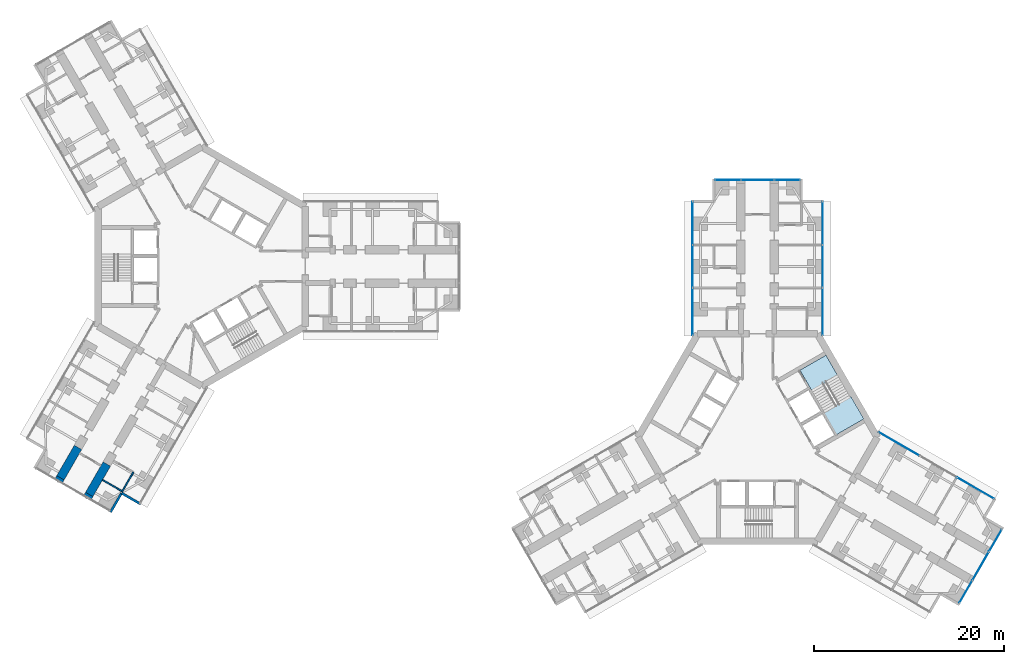
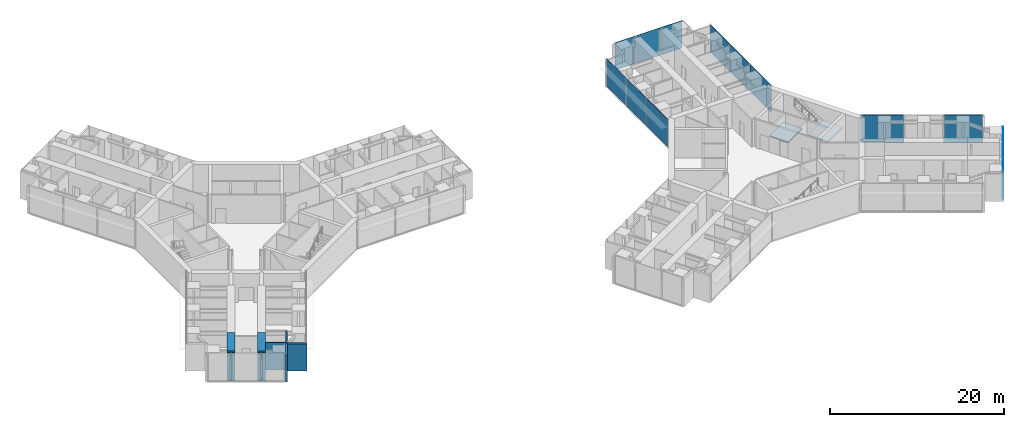
# One storey, part 15 of 24: 14 plates, 8 walls, 2 slabs, 6 elements without a shape of their own.
"""IFC4 building model written with IfcOpenShell, lengths in metres."""

from ifc_helpers import new_model, si_unit, direction, frame, frame_2d, origin, origin_2d, place, context, subcontext, project, spatial, polyline, rectangle, outline, extrude, material, layer, layer_set, type_object, element, aggregate, save


model = new_model("IFC4")

# Units and contexts
model_context = context("Model", 3, precision=1e-05, world=origin(), true_north=direction((0.0, 1.0)))
body_context = subcontext(model_context, "Body", "Model", "MODEL_VIEW")
ifc_project = project(units=[si_unit("LENGTHUNIT", "METRE"), si_unit("AREAUNIT", "SQUARE_METRE"), si_unit("VOLUMEUNIT", "CUBIC_METRE"), si_unit("PLANEANGLEUNIT", "RADIAN"), si_unit("MASSUNIT", "GRAM", prefix="KILO")], contexts=[model_context])

# Site, building, storey
site_placement = place(None, origin())
site = spatial("IfcSite", under=ifc_project, at=site_placement, CompositionType="ELEMENT")
building_placement = place(site_placement, origin())
building = spatial("IfcBuilding", under=site, at=building_placement, Name="Upepo Twin Towers", CompositionType="ELEMENT")
storey_placement = place(building_placement, frame((0.0, 0.0, 52.5)))
storey = spatial("IfcBuildingStorey", under=building, at=storey_placement, Name="L12", CompositionType="ELEMENT", Elevation=52.5)

# Curtain wall, plates
ifc_material_1 = material(Name="Aluminium and fritted glass", Category="aluminium")
curtain_wall_type = type_object("IfcCurtainWallType", Name="Tower curtain wall TW1, fritted glass", PredefinedType="NOTDEFINED", material=ifc_material_1)
curtain_wall_1_placement = place(storey_placement, origin())
curtain_wall_1 = element("IfcCurtainWall", 1, at=curtain_wall_1_placement, inside=storey, type_object=curtain_wall_type, Name="T2 L12 wing A flank L curtain wall", PredefinedType="NOTDEFINED")
ifc_material_2 = material(Name="Ceramic-fritted laminated glass", Category="glass")
ifc_layer_1 = layer(ifc_material_2, 0.031982421875)
ifc_layer_set_1 = layer_set([ifc_layer_1], Name="Fritted glass panel, 25 per cent dot frit, 32 mm double glazed")
plate_type_1 = type_object("IfcPlateType", Name="Fritted glass panel, 25 per cent dot frit, 32 mm double glazed", PredefinedType="CURTAIN_PANEL", material=ifc_layer_set_1)
plate_1_placement = place(storey_placement, frame((51.64990234375, -4.76513671875, 0.14990234375), z_axis=(0.0, 0.0, 1.0), x_axis=(0.0, 1.0, 0.0)))
plate_1 = element("IfcPlate", 2, at=plate_1_placement, type_object=plate_type_1, Name="T2 L12 wing A flank L curtain wall panel 1", PredefinedType="CURTAIN_PANEL", context=body_context, shape_type="SweptSolid", body=[
    extrude(rectangle(XDim=4.96533203125, YDim=0.031982421875, at=origin_2d()), origin(), (0.0, 0.0, 1.0), 3.85009765625),
])
plate_2_placement = place(storey_placement, frame((51.64990234375, 0.0, 0.14990234375), z_axis=(0.0, 0.0, 1.0), x_axis=(0.0, 1.0, 0.0)))
plate_2 = element("IfcPlate", 3, at=plate_2_placement, type_object=plate_type_1, Name="T2 L12 wing A flank L curtain wall panel 2", PredefinedType="CURTAIN_PANEL", context=body_context, shape_type="SweptSolid", body=[
    extrude(rectangle(XDim=4.43505859375, YDim=0.031982421875, at=origin_2d()), origin(), (0.0, 0.0, 1.0), 3.85009765625),
])
plate_3_placement = place(storey_placement, frame((51.64990234375, 4.53369140625, 0.14990234375), z_axis=(0.0, 0.0, 1.0), x_axis=(0.0, 1.0, 0.0)))
plate_3 = element("IfcPlate", 4, at=plate_3_placement, type_object=plate_type_1, Name="T2 L12 wing A flank L curtain wall panel 3", PredefinedType="CURTAIN_PANEL", context=body_context, shape_type="SweptSolid", body=[
    extrude(rectangle(XDim=4.50244140625, YDim=0.031982421875, at=origin_2d()), origin(), (0.0, 0.0, 1.0), 3.85009765625),
])
aggregate(curtain_wall_1, [plate_1, plate_2, plate_3])

curtain_wall_2_placement = place(storey_placement, origin())
curtain_wall_2 = element("IfcCurtainWall", 5, at=curtain_wall_2_placement, inside=storey, type_object=curtain_wall_type, Name="T2 L12 wing A flank R curtain wall", PredefinedType="NOTDEFINED")
plate_4_placement = place(storey_placement, frame((65.35009765625, 4.53369140625, 0.14990234375), z_axis=(0.0, 0.0, 1.0), x_axis=(0.0, -1.0, 0.0)))
plate_4 = element("IfcPlate", 6, at=plate_4_placement, type_object=plate_type_1, Name="T2 L12 wing A flank R curtain wall panel 1", PredefinedType="CURTAIN_PANEL", context=body_context, shape_type="SweptSolid", body=[
    extrude(rectangle(XDim=4.50244140625, YDim=0.031982421875, at=origin_2d()), origin(), (0.0, 0.0, 1.0), 3.85009765625),
])
plate_5_placement = place(storey_placement, frame((65.35009765625, 0.0, 0.14990234375), z_axis=(0.0, 0.0, 1.0), x_axis=(0.0, -1.0, 0.0)))
plate_5 = element("IfcPlate", 7, at=plate_5_placement, type_object=plate_type_1, Name="T2 L12 wing A flank R curtain wall panel 2", PredefinedType="CURTAIN_PANEL", context=body_context, shape_type="SweptSolid", body=[
    extrude(rectangle(XDim=4.43505859375, YDim=0.031982421875, at=origin_2d()), origin(), (0.0, 0.0, 1.0), 3.85009765625),
])
plate_6_placement = place(storey_placement, frame((65.35009765625, -4.76513671875, 0.14990234375), z_axis=(0.0, 0.0, 1.0), x_axis=(0.0, -1.0, 0.0)))
plate_6 = element("IfcPlate", 8, at=plate_6_placement, type_object=plate_type_1, Name="T2 L12 wing A flank R curtain wall panel 3", PredefinedType="CURTAIN_PANEL", context=body_context, shape_type="SweptSolid", body=[
    extrude(rectangle(XDim=4.96533203125, YDim=0.031982421875, at=origin_2d()), origin(), (0.0, 0.0, 1.0), 3.85009765625),
])
aggregate(curtain_wall_2, [plate_4, plate_5, plate_6])

# Curtain wall, plate
curtain_wall_3_placement = place(storey_placement, origin())
curtain_wall_3 = element("IfcCurtainWall", 9, at=curtain_wall_3_placement, inside=storey, type_object=curtain_wall_type, Name="T2 L12 wing A nose curtain wall", PredefinedType="NOTDEFINED")
plate_7_placement = place(storey_placement, frame((58.5, 9.10009765625, 0.14990234375), z_axis=(0.0, 0.0, 1.0), x_axis=(-1.0, 0.0, 0.0)))
plate_7 = element("IfcPlate", 10, at=plate_7_placement, type_object=plate_type_1, Name="T2 L12 wing A nose curtain wall panel 2", PredefinedType="CURTAIN_PANEL", context=body_context, shape_type="SweptSolid", body=[
    extrude(rectangle(XDim=3.43505859375, YDim=0.031982421875, at=origin_2d()), origin(), (0.0, 0.0, 1.0), 3.85009765625),
])

# Curtain wall, plates
curtain_wall_4_placement = place(storey_placement, origin())
curtain_wall_4 = element("IfcCurtainWall", 11, at=curtain_wall_4_placement, inside=storey, type_object=curtain_wall_type, Name="T2 L12 wing C flank L curtain wall", PredefinedType="NOTDEFINED")
plate_8_placement = place(storey_placement, frame((73.38671875, -18.68505859375, 0.14990234375), z_axis=(0.0, 0.0, 1.0), x_axis=(0.866025389682, -0.500000024426, 0.0)))
plate_8 = element("IfcPlate", 12, at=plate_8_placement, type_object=plate_type_1, Name="T2 L12 wing C flank L curtain wall panel 1", PredefinedType="CURTAIN_PANEL", context=body_context, shape_type="SweptSolid", body=[
    extrude(rectangle(XDim=4.96533203125, YDim=0.031982421875, at=origin_2d()), origin(), (0.0, 0.0, 1.0), 3.85009765625),
])
plate_9_placement = place(storey_placement, frame((81.439697265625, -23.334716796875, 0.14990234375), z_axis=(0.0, 0.0, 1.0), x_axis=(0.866025389682, -0.500000024426, 0.0)))
plate_9 = element("IfcPlate", 13, at=plate_9_placement, type_object=plate_type_1, Name="T2 L12 wing C flank L curtain wall panel 3", PredefinedType="CURTAIN_PANEL", context=body_context, shape_type="SweptSolid", body=[
    extrude(rectangle(XDim=4.50244140625, YDim=0.031982421875, at=origin_2d()), origin(), (0.0, 0.0, 1.0), 3.85009765625),
])
aggregate(curtain_wall_4, [plate_8, plate_9])

# Curtain wall, plate
curtain_wall_5_placement = place(storey_placement, origin())
curtain_wall_5 = element("IfcCurtainWall", 14, at=curtain_wall_5_placement, inside=storey, type_object=curtain_wall_type, Name="T2 L12 wing C nose curtain wall", PredefinedType="NOTDEFINED")
plate_10_placement = place(storey_placement, frame((81.96923828125, -31.550048828125, 0.14990234375), z_axis=(0.0, 0.0, 1.0), x_axis=(0.500000030502, 0.866025386174, 0.0)))
plate_10 = element("IfcPlate", 15, at=plate_10_placement, type_object=plate_type_1, Name="T2 L12 wing C nose curtain wall panel 2", PredefinedType="CURTAIN_PANEL", context=body_context, shape_type="SweptSolid", body=[
    extrude(rectangle(XDim=3.43505859375, YDim=0.031982421875, at=origin_2d()), origin(), (0.0, 0.0, 1.0), 3.85009765625),
])

# Plate
ifc_material_3 = material(Name="Clear laminated glass in opening sash", Category="glass")
ifc_layer_2 = layer(ifc_material_3, 0.031982421875)
ifc_layer_set_2 = layer_set([ifc_layer_2], Name="Operable glass panel, 32 mm double glazed")
plate_type_2 = type_object("IfcPlateType", Name="Operable glass panel, 32 mm double glazed", PredefinedType="CURTAIN_PANEL", material=ifc_layer_set_2)
plate_11_placement = place(storey_placement, frame((61.608642578125, 9.10009765625, 0.14990234375), z_axis=(0.0, 0.0, 1.0), x_axis=(-1.0, 0.0, 0.0)))
plate_11 = element("IfcPlate", 16, at=plate_11_placement, type_object=plate_type_2, Name="T2 L12 wing A nose curtain wall panel 1", PredefinedType="CURTAIN_PANEL", context=body_context, shape_type="SweptSolid", body=[
    extrude(rectangle(XDim=2.652587890625, YDim=0.031982421875, at=origin_2d()), origin(), (0.0, 0.0, 1.0), 3.85009765625),
])

plate_12_placement = place(storey_placement, frame((55.391357421875, 9.10009765625, 0.14990234375), z_axis=(0.0, 0.0, 1.0), x_axis=(-1.0, 0.0, 0.0)))
plate_12 = element("IfcPlate", 17, at=plate_12_placement, type_object=plate_type_2, Name="T2 L12 wing A nose curtain wall panel 3", PredefinedType="CURTAIN_PANEL", context=body_context, shape_type="SweptSolid", body=[
    extrude(rectangle(XDim=2.652587890625, YDim=0.031982421875, at=origin_2d()), origin(), (0.0, 0.0, 1.0), 3.85009765625),
])

aggregate(curtain_wall_3, [plate_11, plate_7, plate_12])

plate_13_placement = place(storey_placement, frame((80.414794921875, -34.2421875, 0.14990234375), z_axis=(0.0, 0.0, 1.0), x_axis=(0.500000030502, 0.866025386174, 0.0)))
plate_13 = element("IfcPlate", 18, at=plate_13_placement, type_object=plate_type_2, Name="T2 L12 wing C nose curtain wall panel 1", PredefinedType="CURTAIN_PANEL", context=body_context, shape_type="SweptSolid", body=[
    extrude(rectangle(XDim=2.652587890625, YDim=0.031982421875, at=origin_2d()), origin(), (0.0, 0.0, 1.0), 3.85009765625),
])

plate_14_placement = place(storey_placement, frame((83.523681640625, -28.857666015625, 0.14990234375), z_axis=(0.0, 0.0, 1.0), x_axis=(0.500000030502, 0.866025386174, 0.0)))
plate_14 = element("IfcPlate", 19, at=plate_14_placement, type_object=plate_type_2, Name="T2 L12 wing C nose curtain wall panel 3", PredefinedType="CURTAIN_PANEL", context=body_context, shape_type="SweptSolid", body=[
    extrude(rectangle(XDim=2.652587890625, YDim=0.031982421875, at=origin_2d()), origin(), (0.0, 0.0, 1.0), 3.85009765625),
])

aggregate(curtain_wall_5, [plate_13, plate_10, plate_14])

# Stair, slabs
ifc_material_4 = material(Name="Concrete C40/50", Category="concrete")
stair_type = type_object("IfcStairType", Name="Core stair, two flights", PredefinedType="HALF_TURN_STAIR", material=ifc_material_4)
stair_placement = place(storey_placement, origin())
stair = element("IfcStair", 20, at=stair_placement, inside=storey, type_object=stair_type, Name="T2 stair S2 L12", PredefinedType="HALF_TURN_STAIR")
ifc_material_5 = material(Name="Concrete C40/50", Category="concrete")
ifc_layer_3 = layer(ifc_material_5, 0.199951171875)
ifc_layer_set_3 = layer_set([ifc_layer_3], Name="Concrete C40/50")
slab_type = type_object("IfcSlabType", Name="Stair landing 200 RC", PredefinedType="LANDING", material=ifc_layer_set_3)
slab_1_placement = place(storey_placement, frame((0.0, 0.0, -0.199951171875)))
slab_1 = element("IfcSlab", 21, at=slab_1_placement, type_object=slab_type, Name="Stair S2 landing 1", PredefinedType="LANDING", context=body_context, shape_type="SweptSolid", body=[
    extrude(outline(polyline([(64.198486328125, -13.0703125), (66.933837890625, -11.490966796875), (65.69384765625, -9.34326171875), (62.95849609375, -10.922607421875), (64.198486328125, -13.0703125)])), origin(), (0.0, 0.0, 1.0), 0.199951171875),
])
slab_2_placement = place(storey_placement, frame((0.0, 0.0, 1.800048828125)))
slab_2 = element("IfcSlab", 22, at=slab_2_placement, type_object=slab_type, Name="Stair S2 landing 2", PredefinedType="LANDING", context=body_context, shape_type="SweptSolid", body=[
    extrude(outline(polyline([(66.77197265625, -17.7275390625), (69.680419921875, -16.04833984375), (68.3203125, -13.692626953125), (65.411865234375, -15.371826171875), (66.77197265625, -17.7275390625)])), origin(), (0.0, 0.0, 1.0), 0.199951171875),
])
aggregate(stair, [slab_1, slab_2])

# Walls
ifc_material_6 = material(Name="Dense concrete blockwork", Category="masonry")
ifc_layer_4 = layer(ifc_material_6, 0.89990234375)
ifc_layer_set_4 = layer_set([ifc_layer_4], Name="Buttress closer 900, blockwork with fire-stopping to the curtain wall")
wall_type_1 = type_object("IfcWallType", Name="Buttress closer 900, blockwork with fire-stopping to the curtain wall", PredefinedType="PARTITIONING", material=ifc_layer_set_4)
for number, where, z_axis, x_axis, name in (
    (23, (-11.83447265625, -23.997802734375, 0.0), (0.0, 0.0, 1.0), (-0.499949632511, -0.866054481515, 0.0), "T1 L12 wing C buttress closer L"),
    (24, (-14.865478515625, -22.247802734375, 0.0), (0.0, 0.0, 1.0), (-0.499949632511, -0.866054481515, 0.0), "T1 L12 wing C buttress closer R"),
):
    element("IfcWall", number, at=place(storey_placement, frame(where, z_axis=z_axis, x_axis=x_axis)), inside=storey, type_object=wall_type_1, Name=name, PredefinedType="PARTITIONING", context=body_context, shape_type="SweptSolid", body=[
        extrude(rectangle(XDim=0.31005859375, YDim=0.89990234375, at=frame_2d((0.155029296875, 0.0))), origin(), (0.0, 0.0, 1.0), 3.800048828125),
    ])
ifc_material_7 = material(Name="Concrete C60/75", Category="concrete")
ifc_layer_5 = layer(ifc_material_7, 0.89990234375)
ifc_layer_set_5 = layer_set([ifc_layer_5], Name="Concrete C60/75")
wall_type_2 = type_object("IfcWallType", Name="Buttress wall 900 RC", PredefinedType="SHEAR", material=ifc_layer_set_5)
wall_1_placement = place(storey_placement, frame((-9.984375, -20.793701171875, 0.0), z_axis=(0.0, 0.0, 1.0), x_axis=(-0.500042316284, -0.866000971088, 0.0)))
element("IfcWall", 25, at=wall_1_placement, inside=storey, type_object=wall_type_2, Name="T1 wing C buttress wall L part 3", PredefinedType="SHEAR", context=body_context, shape_type="SweptSolid", body=[
    extrude(rectangle(XDim=3.699951171875, YDim=0.89990234375, at=frame_2d((1.85009765625, 0.0))), origin(), (0.0, 0.0, 1.0), 4.0),
])
wall_2_placement = place(storey_placement, frame((-13.015625, -19.043701171875, 0.0), z_axis=(0.0, 0.0, 1.0), x_axis=(-0.499992827086, -0.866029545028, 0.0)))
element("IfcWall", 26, at=wall_2_placement, inside=storey, type_object=wall_type_2, Name="T1 wing C buttress wall R part 3", PredefinedType="SHEAR", context=body_context, shape_type="SweptSolid", body=[
    extrude(rectangle(XDim=3.69970703125, YDim=0.89990234375, at=frame_2d((1.849853515625, 0.0))), origin(), (0.0, 0.0, 1.0), 4.0),
])
ifc_material_8 = material(Name="Blockwork with anodised aluminium cladding", Category="masonry")
ifc_layer_6 = layer(ifc_material_8, 0.25)
ifc_layer_set_6 = layer_set([ifc_layer_6], Name="Notch cladding wall 250, pale metal")
wall_type_3 = type_object("IfcWallType", Name="Notch cladding wall 250, pale metal", PredefinedType="STANDARD", material=ifc_layer_set_6)
for number, where, z_axis, x_axis, name in (
    (27, (-6.418701171875, -25.017333984375, 0.0), (0.0, 0.0, 1.0), (-0.866043940782, 0.499967891604, 0.0), "T1 L12 wing C notch wall L1"),
    (28, (-8.43212890625, -23.85498046875, 0.0), (0.0, 0.0, 1.0), (-0.500046648681, -0.865998469481, 0.0), "T1 L12 wing C notch wall L2"),
):
    element("IfcWall", number, at=place(storey_placement, frame(where, z_axis=z_axis, x_axis=x_axis)), inside=storey, type_object=wall_type_3, Name=name, PredefinedType="STANDARD", context=body_context, shape_type="SweptSolid", body=[
        extrude(rectangle(XDim=2.324951171875, YDim=0.25, at=frame_2d((1.16259765625, 0.0))), origin(), (0.0, 0.0, 1.0), 3.800048828125),
    ])
ifc_material_9 = material(Name="Gypsum board on steel studs", Category="steel")
ifc_layer_7 = layer(ifc_material_9, 0.14990234375)
ifc_layer_set_7 = layer_set([ifc_layer_7], Name="Teaching partition 150 acoustic")
wall_type_4 = type_object("IfcWallType", Name="Teaching partition 150 acoustic", PredefinedType="PARTITIONING", material=ifc_layer_set_7)
for number, where, z_axis, x_axis, name in (
    (29, (-7.191162109375, -21.65576171875, 0.0), (0.0, 0.0, 1.0), (-0.500077600433, -0.865980596518, 0.0), "T1 inner room partition CL at 22.35"),
    (30, (-10.43212890625, -22.46923828125, 0.0), (0.0, 0.0, 1.0), (0.866024647952, -0.500001309137, 0.0), "T1 inner room partition CL end at 24.75"),
):
    element("IfcWall", number, at=place(storey_placement, frame(where, z_axis=z_axis, x_axis=x_axis)), inside=storey, type_object=wall_type_4, Name=name, PredefinedType="PARTITIONING", context=body_context, shape_type="SweptSolid", body=[
        extrude(rectangle(XDim=2.39990234375, YDim=0.14990234375, at=frame_2d((1.199951171875, 0.0))), origin(), (0.0, 0.0, 1.0), 3.800048828125),
    ])

save(model, "model.ifc")
